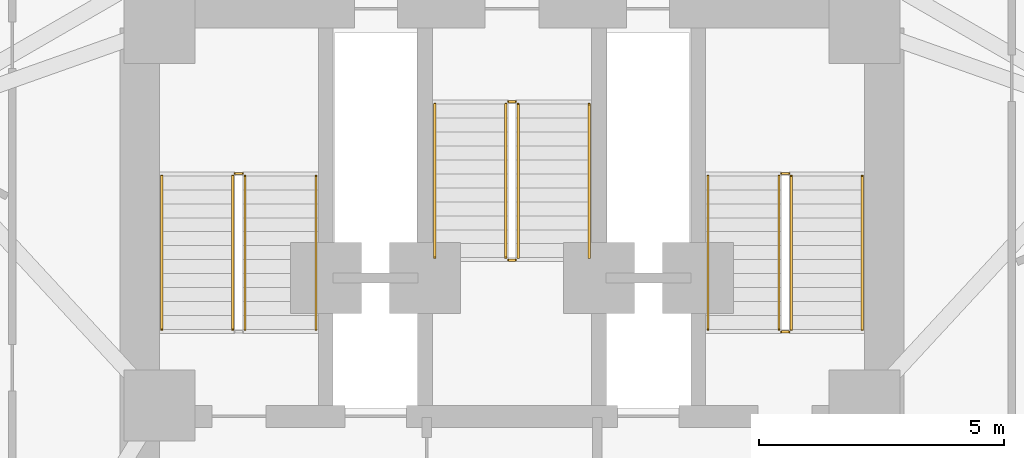
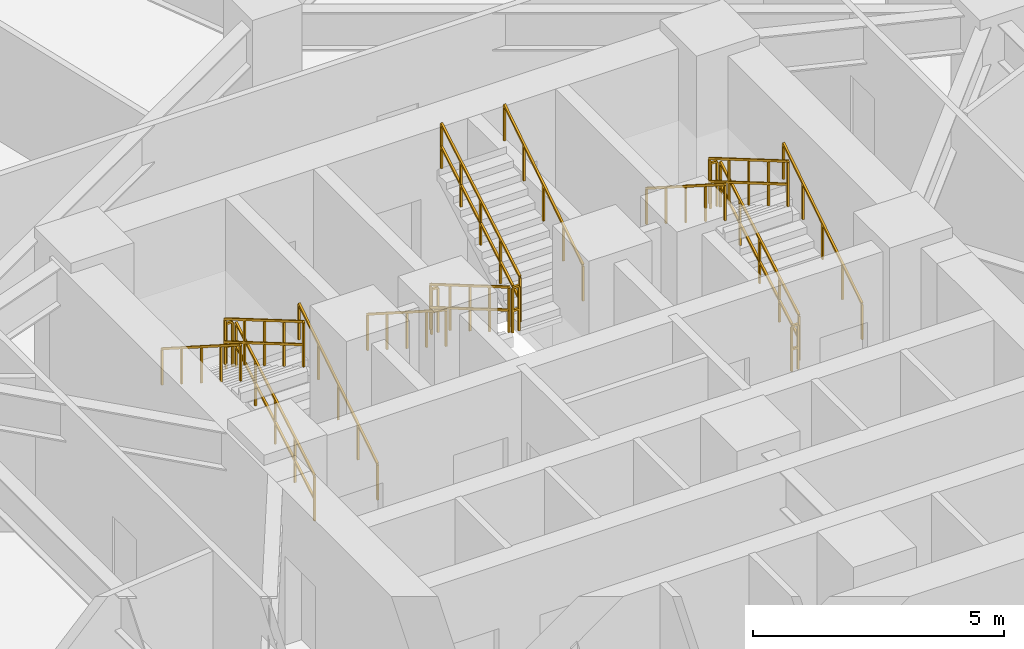
# One storey, part 9 of 10: 17 railings.
"""IFC4 building model written with IfcOpenShell, lengths in metres."""

from ifc_helpers import new_model, si_unit, direction, frame, origin, origin_2d, place, context, subcontext, project, spatial, rectangle, extrude, material, type_object, element, save


model = new_model("IFC4")

# Units and contexts
model_context = context("Model", 3, precision=1e-05, world=origin(), true_north=direction((0.0, 1.0)))
body_context = subcontext(model_context, "Body", "Model", "MODEL_VIEW")
ifc_project = project(units=[si_unit("LENGTHUNIT", "METRE"), si_unit("AREAUNIT", "SQUARE_METRE"), si_unit("VOLUMEUNIT", "CUBIC_METRE"), si_unit("PLANEANGLEUNIT", "RADIAN"), si_unit("MASSUNIT", "GRAM", prefix="KILO")], contexts=[model_context])

# Site, building, storey
site_placement = place(None, origin())
site = spatial("IfcSite", under=ifc_project, at=site_placement, CompositionType="ELEMENT")
building_placement = place(site_placement, origin())
building = spatial("IfcBuilding", under=site, at=building_placement, Name="Apsidion Concourse Tower", CompositionType="ELEMENT")
storey_placement = place(building_placement, frame((0.0, 0.0, 87.0)))
storey = spatial("IfcBuildingStorey", under=building, at=storey_placement, Name="L19", CompositionType="ELEMENT", Elevation=87.0)

# Railings
ifc_material = material(Name="Brushed stainless steel 316", Category="steel")
railing_type_1 = type_object("IfcRailingType", Name="RL-GUARD-1100", PredefinedType="GUARDRAIL", material=ifc_material)
railing_1_placement = place(storey_placement, frame((-5.449951171875, 3.0, 0.166748046875)))
element("IfcRailing", 1, at=railing_1_placement, inside=storey, type_object=railing_type_1, Name="L19 ST1 stair guard 1", PredefinedType="GUARDRAIL", context=body_context, shape_type="SweptSolid", body=[
    extrude(rectangle(XDim=0.048095703125, YDim=0.048095703125, at=origin_2d()), frame((0.0, 0.0, 1.09619140625), z_axis=(0.0, 0.863239559939, 0.504794475164), x_axis=(-1.0, 0.0, 0.0)), (0.0, 0.0, 1.0), 3.631591796875),
    extrude(rectangle(XDim=0.048095703125, YDim=0.048095703125, at=origin_2d()), frame((0.0, 0.0, 0.5361328125), z_axis=(0.0, 0.863239559939, 0.504794475164), x_axis=(-1.0, 0.0, 0.0)), (0.0, 0.0, 1.0), 3.631591796875),
    extrude(rectangle(XDim=0.0419921875, YDim=0.0419921875, at=origin_2d()), origin(), (0.0, 0.0, 1.0), 1.072021484375),
    extrude(rectangle(XDim=0.0419921875, YDim=0.0419921875, at=origin_2d()), frame((0.0, 0.78369140625, 0.458251953125)), (0.0, 0.0, 1.0), 1.072021484375),
    extrude(rectangle(XDim=0.0419921875, YDim=0.0419921875, at=origin_2d()), frame((0.0, 1.5673828125, 0.91650390625)), (0.0, 0.0, 1.0), 1.072021484375),
    extrude(rectangle(XDim=0.0419921875, YDim=0.0419921875, at=origin_2d()), frame((0.0, 2.351318359375, 1.375)), (0.0, 0.0, 1.0), 1.072021484375),
    extrude(rectangle(XDim=0.0419921875, YDim=0.0419921875, at=origin_2d()), frame((0.0, 3.135009765625, 1.833251953125)), (0.0, 0.0, 1.0), 1.072021484375),
])
railing_2_placement = place(storey_placement, frame((-5.5, 6.18505859375, 2.0)))
element("IfcRailing", 2, at=railing_2_placement, inside=storey, type_object=railing_type_1, Name="L19 ST1 stair guard 2", PredefinedType="GUARDRAIL", context=body_context, shape_type="SweptSolid", body=[
    extrude(rectangle(XDim=0.048095703125, YDim=0.048095703125, at=origin_2d()), frame((0.0, 0.0, 1.09619140625), z_axis=(-1.0, 0.0, 0.0), x_axis=(0.0, -1.0, 0.0)), (0.0, 0.0, 1.0), 0.14990234375),
    extrude(rectangle(XDim=0.048095703125, YDim=0.048095703125, at=origin_2d()), frame((0.0, 0.0, 0.5361328125), z_axis=(-1.0, 0.0, 0.0), x_axis=(0.0, -1.0, 0.0)), (0.0, 0.0, 1.0), 0.14990234375),
    extrude(rectangle(XDim=0.0419921875, YDim=0.0419921875, at=origin_2d()), origin(), (0.0, 0.0, 1.0), 1.072021484375),
    extrude(rectangle(XDim=0.0419921875, YDim=0.0419921875, at=origin_2d()), frame((-0.14990234375, 0.0, 0.0)), (0.0, 0.0, 1.0), 1.072021484375),
])
railing_3_placement = place(storey_placement, frame((-5.699951171875, 6.135009765625, 2.166748046875)))
element("IfcRailing", 3, at=railing_3_placement, inside=storey, type_object=railing_type_1, Name="L19 ST1 stair guard 3", PredefinedType="GUARDRAIL", context=body_context, shape_type="SweptSolid", body=[
    extrude(rectangle(XDim=0.048095703125, YDim=0.048095703125, at=origin_2d()), frame((0.0, 0.0, 1.09619140625), z_axis=(0.0, -0.863239559939, 0.504794475164), x_axis=(1.0, 0.0, 0.0)), (0.0, 0.0, 1.0), 3.631591796875),
    extrude(rectangle(XDim=0.048095703125, YDim=0.048095703125, at=origin_2d()), frame((0.0, 0.0, 0.5361328125), z_axis=(0.0, -0.863239559939, 0.504794475164), x_axis=(1.0, 0.0, 0.0)), (0.0, 0.0, 1.0), 3.631591796875),
    extrude(rectangle(XDim=0.0419921875, YDim=0.0419921875, at=origin_2d()), origin(), (0.0, 0.0, 1.0), 1.072021484375),
    extrude(rectangle(XDim=0.0419921875, YDim=0.0419921875, at=origin_2d()), frame((0.0, -0.78369140625, 0.458251953125)), (0.0, 0.0, 1.0), 1.072021484375),
    extrude(rectangle(XDim=0.0419921875, YDim=0.0419921875, at=origin_2d()), frame((0.0, -1.5673828125, 0.91650390625)), (0.0, 0.0, 1.0), 1.072021484375),
    extrude(rectangle(XDim=0.0419921875, YDim=0.0419921875, at=origin_2d()), frame((0.0, -2.351318359375, 1.375)), (0.0, 0.0, 1.0), 1.072021484375),
    extrude(rectangle(XDim=0.0419921875, YDim=0.0419921875, at=origin_2d()), frame((0.0, -3.135009765625, 1.833251953125)), (0.0, 0.0, 1.0), 1.072021484375),
])
railing_4_placement = place(storey_placement, frame((5.699951171875, 3.0, 0.166748046875)))
element("IfcRailing", 4, at=railing_4_placement, inside=storey, type_object=railing_type_1, Name="L19 ST2 stair guard 1", PredefinedType="GUARDRAIL", context=body_context, shape_type="SweptSolid", body=[
    extrude(rectangle(XDim=0.048095703125, YDim=0.048095703125, at=origin_2d()), frame((0.0, 0.0, 1.09619140625), z_axis=(0.0, 0.863239559939, 0.504794475164), x_axis=(-1.0, 0.0, 0.0)), (0.0, 0.0, 1.0), 3.631591796875),
    extrude(rectangle(XDim=0.048095703125, YDim=0.048095703125, at=origin_2d()), frame((0.0, 0.0, 0.5361328125), z_axis=(0.0, 0.863239559939, 0.504794475164), x_axis=(-1.0, 0.0, 0.0)), (0.0, 0.0, 1.0), 3.631591796875),
    extrude(rectangle(XDim=0.0419921875, YDim=0.0419921875, at=origin_2d()), origin(), (0.0, 0.0, 1.0), 1.072021484375),
    extrude(rectangle(XDim=0.0419921875, YDim=0.0419921875, at=origin_2d()), frame((0.0, 0.78369140625, 0.458251953125)), (0.0, 0.0, 1.0), 1.072021484375),
    extrude(rectangle(XDim=0.0419921875, YDim=0.0419921875, at=origin_2d()), frame((0.0, 1.5673828125, 0.91650390625)), (0.0, 0.0, 1.0), 1.072021484375),
    extrude(rectangle(XDim=0.0419921875, YDim=0.0419921875, at=origin_2d()), frame((0.0, 2.351318359375, 1.375)), (0.0, 0.0, 1.0), 1.072021484375),
    extrude(rectangle(XDim=0.0419921875, YDim=0.0419921875, at=origin_2d()), frame((0.0, 3.135009765625, 1.833251953125)), (0.0, 0.0, 1.0), 1.072021484375),
])
railing_5_placement = place(storey_placement, frame((5.64990234375, 6.18505859375, 2.0)))
element("IfcRailing", 5, at=railing_5_placement, inside=storey, type_object=railing_type_1, Name="L19 ST2 stair guard 2", PredefinedType="GUARDRAIL", context=body_context, shape_type="SweptSolid", body=[
    extrude(rectangle(XDim=0.048095703125, YDim=0.048095703125, at=origin_2d()), frame((0.0, 0.0, 1.09619140625), z_axis=(-1.0, 0.0, 0.0), x_axis=(0.0, -1.0, 0.0)), (0.0, 0.0, 1.0), 0.14990234375),
    extrude(rectangle(XDim=0.048095703125, YDim=0.048095703125, at=origin_2d()), frame((0.0, 0.0, 0.5361328125), z_axis=(-1.0, 0.0, 0.0), x_axis=(0.0, -1.0, 0.0)), (0.0, 0.0, 1.0), 0.14990234375),
    extrude(rectangle(XDim=0.0419921875, YDim=0.0419921875, at=origin_2d()), origin(), (0.0, 0.0, 1.0), 1.072021484375),
    extrude(rectangle(XDim=0.0419921875, YDim=0.0419921875, at=origin_2d()), frame((-0.14990234375, 0.0, 0.0)), (0.0, 0.0, 1.0), 1.072021484375),
])
railing_6_placement = place(storey_placement, frame((5.449951171875, 6.135009765625, 2.166748046875)))
element("IfcRailing", 6, at=railing_6_placement, inside=storey, type_object=railing_type_1, Name="L19 ST2 stair guard 3", PredefinedType="GUARDRAIL", context=body_context, shape_type="SweptSolid", body=[
    extrude(rectangle(XDim=0.048095703125, YDim=0.048095703125, at=origin_2d()), frame((0.0, 0.0, 1.09619140625), z_axis=(0.0, -0.863239559939, 0.504794475164), x_axis=(1.0, 0.0, 0.0)), (0.0, 0.0, 1.0), 3.631591796875),
    extrude(rectangle(XDim=0.048095703125, YDim=0.048095703125, at=origin_2d()), frame((0.0, 0.0, 0.5361328125), z_axis=(0.0, -0.863239559939, 0.504794475164), x_axis=(1.0, 0.0, 0.0)), (0.0, 0.0, 1.0), 3.631591796875),
    extrude(rectangle(XDim=0.0419921875, YDim=0.0419921875, at=origin_2d()), origin(), (0.0, 0.0, 1.0), 1.072021484375),
    extrude(rectangle(XDim=0.0419921875, YDim=0.0419921875, at=origin_2d()), frame((0.0, -0.78369140625, 0.458251953125)), (0.0, 0.0, 1.0), 1.072021484375),
    extrude(rectangle(XDim=0.0419921875, YDim=0.0419921875, at=origin_2d()), frame((0.0, -1.5673828125, 0.91650390625)), (0.0, 0.0, 1.0), 1.072021484375),
    extrude(rectangle(XDim=0.0419921875, YDim=0.0419921875, at=origin_2d()), frame((0.0, -2.351318359375, 1.375)), (0.0, 0.0, 1.0), 1.072021484375),
    extrude(rectangle(XDim=0.0419921875, YDim=0.0419921875, at=origin_2d()), frame((0.0, -3.135009765625, 1.833251953125)), (0.0, 0.0, 1.0), 1.072021484375),
])
railing_7_placement = place(storey_placement, frame((5.64990234375, 2.949951171875, 0.0)))
element("IfcRailing", 7, at=railing_7_placement, inside=storey, type_object=railing_type_1, Name="L19 ST2 stair guard 4", PredefinedType="GUARDRAIL", context=body_context, shape_type="SweptSolid", body=[
    extrude(rectangle(XDim=0.048095703125, YDim=0.048095703125, at=origin_2d()), frame((0.0, 0.0, 1.09619140625), z_axis=(-1.0, 0.0, 0.0), x_axis=(0.0, -1.0, 0.0)), (0.0, 0.0, 1.0), 0.14990234375),
    extrude(rectangle(XDim=0.048095703125, YDim=0.048095703125, at=origin_2d()), frame((0.0, 0.0, 0.5361328125), z_axis=(-1.0, 0.0, 0.0), x_axis=(0.0, -1.0, 0.0)), (0.0, 0.0, 1.0), 0.14990234375),
    extrude(rectangle(XDim=0.0419921875, YDim=0.0419921875, at=origin_2d()), origin(), (0.0, 0.0, 1.0), 1.072021484375),
    extrude(rectangle(XDim=0.0419921875, YDim=0.0419921875, at=origin_2d()), frame((-0.14990234375, 0.0, 0.0)), (0.0, 0.0, 1.0), 1.072021484375),
])
railing_8_placement = place(storey_placement, frame((-0.125, 7.60009765625, 0.166748046875)))
element("IfcRailing", 8, at=railing_8_placement, inside=storey, type_object=railing_type_1, Name="L19 ST3 stair guard 1", PredefinedType="GUARDRAIL", context=body_context, shape_type="SweptSolid", body=[
    extrude(rectangle(XDim=0.048095703125, YDim=0.048095703125, at=origin_2d()), frame((0.0, 0.0, 1.09619140625), z_axis=(0.0, -0.863239559939, 0.504794475164), x_axis=(1.0, 0.0, 0.0)), (0.0, 0.0, 1.0), 3.631591796875),
    extrude(rectangle(XDim=0.048095703125, YDim=0.048095703125, at=origin_2d()), frame((0.0, 0.0, 0.5361328125), z_axis=(0.0, -0.863239559939, 0.504794475164), x_axis=(1.0, 0.0, 0.0)), (0.0, 0.0, 1.0), 3.631591796875),
    extrude(rectangle(XDim=0.0419921875, YDim=0.0419921875, at=origin_2d()), origin(), (0.0, 0.0, 1.0), 1.072021484375),
    extrude(rectangle(XDim=0.0419921875, YDim=0.0419921875, at=origin_2d()), frame((0.0, -0.78369140625, 0.458251953125)), (0.0, 0.0, 1.0), 1.072021484375),
    extrude(rectangle(XDim=0.0419921875, YDim=0.0419921875, at=origin_2d()), frame((0.0, -1.5673828125, 0.91650390625)), (0.0, 0.0, 1.0), 1.072021484375),
    extrude(rectangle(XDim=0.0419921875, YDim=0.0419921875, at=origin_2d()), frame((0.0, -2.351318359375, 1.375)), (0.0, 0.0, 1.0), 1.072021484375),
    extrude(rectangle(XDim=0.0419921875, YDim=0.0419921875, at=origin_2d()), frame((0.0, -3.135009765625, 1.833251953125)), (0.0, 0.0, 1.0), 1.072021484375),
])
railing_9_placement = place(storey_placement, frame((-0.074951171875, 4.4150390625, 2.0)))
element("IfcRailing", 9, at=railing_9_placement, inside=storey, type_object=railing_type_1, Name="L19 ST3 stair guard 2", PredefinedType="GUARDRAIL", context=body_context, shape_type="SweptSolid", body=[
    extrude(rectangle(XDim=0.048095703125, YDim=0.048095703125, at=origin_2d()), frame((0.0, 0.0, 1.09619140625), z_axis=(1.0, 0.0, 0.0), x_axis=(0.0, 1.0, 0.0)), (0.0, 0.0, 1.0), 0.14990234375),
    extrude(rectangle(XDim=0.048095703125, YDim=0.048095703125, at=origin_2d()), frame((0.0, 0.0, 0.5361328125), z_axis=(1.0, 0.0, 0.0), x_axis=(0.0, 1.0, 0.0)), (0.0, 0.0, 1.0), 0.14990234375),
    extrude(rectangle(XDim=0.0419921875, YDim=0.0419921875, at=origin_2d()), origin(), (0.0, 0.0, 1.0), 1.072021484375),
    extrude(rectangle(XDim=0.0419921875, YDim=0.0419921875, at=origin_2d()), frame((0.14990234375, 0.0, 0.0)), (0.0, 0.0, 1.0), 1.072021484375),
])
railing_10_placement = place(storey_placement, frame((0.125, 4.465087890625, 2.166748046875)))
element("IfcRailing", 10, at=railing_10_placement, inside=storey, type_object=railing_type_1, Name="L19 ST3 stair guard 3", PredefinedType="GUARDRAIL", context=body_context, shape_type="SweptSolid", body=[
    extrude(rectangle(XDim=0.048095703125, YDim=0.048095703125, at=origin_2d()), frame((0.0, 0.0, 1.09619140625), z_axis=(0.0, 0.863239559939, 0.504794475164), x_axis=(-1.0, 0.0, 0.0)), (0.0, 0.0, 1.0), 3.631591796875),
    extrude(rectangle(XDim=0.048095703125, YDim=0.048095703125, at=origin_2d()), frame((0.0, 0.0, 0.5361328125), z_axis=(0.0, 0.863239559939, 0.504794475164), x_axis=(-1.0, 0.0, 0.0)), (0.0, 0.0, 1.0), 3.631591796875),
    extrude(rectangle(XDim=0.0419921875, YDim=0.0419921875, at=origin_2d()), origin(), (0.0, 0.0, 1.0), 1.072021484375),
    extrude(rectangle(XDim=0.0419921875, YDim=0.0419921875, at=origin_2d()), frame((0.0, 0.78369140625, 0.458251953125)), (0.0, 0.0, 1.0), 1.072021484375),
    extrude(rectangle(XDim=0.0419921875, YDim=0.0419921875, at=origin_2d()), frame((0.0, 1.5673828125, 0.91650390625)), (0.0, 0.0, 1.0), 1.072021484375),
    extrude(rectangle(XDim=0.0419921875, YDim=0.0419921875, at=origin_2d()), frame((0.0, 2.351318359375, 1.375)), (0.0, 0.0, 1.0), 1.072021484375),
    extrude(rectangle(XDim=0.0419921875, YDim=0.0419921875, at=origin_2d()), frame((0.0, 3.135009765625, 1.833251953125)), (0.0, 0.0, 1.0), 1.072021484375),
])
railing_11_placement = place(storey_placement, frame((-0.074951171875, 7.64990234375, 0.0)))
element("IfcRailing", 11, at=railing_11_placement, inside=storey, type_object=railing_type_1, Name="L19 ST3 stair guard 4", PredefinedType="GUARDRAIL", context=body_context, shape_type="SweptSolid", body=[
    extrude(rectangle(XDim=0.048095703125, YDim=0.048095703125, at=origin_2d()), frame((0.0, 0.0, 1.09619140625), z_axis=(1.0, 0.0, 0.0), x_axis=(0.0, 1.0, 0.0)), (0.0, 0.0, 1.0), 0.14990234375),
    extrude(rectangle(XDim=0.048095703125, YDim=0.048095703125, at=origin_2d()), frame((0.0, 0.0, 0.5361328125), z_axis=(1.0, 0.0, 0.0), x_axis=(0.0, 1.0, 0.0)), (0.0, 0.0, 1.0), 0.14990234375),
    extrude(rectangle(XDim=0.0419921875, YDim=0.0419921875, at=origin_2d()), origin(), (0.0, 0.0, 1.0), 1.072021484375),
    extrude(rectangle(XDim=0.0419921875, YDim=0.0419921875, at=origin_2d()), frame((0.14990234375, 0.0, 0.0)), (0.0, 0.0, 1.0), 1.072021484375),
])
railing_type_2 = type_object("IfcRailingType", Name="RL-HAND-900", PredefinedType="HANDRAIL", material=ifc_material)
railing_12_placement = place(storey_placement, frame((-4.0, 3.0, 0.166748046875)))
element("IfcRailing", 12, at=railing_12_placement, inside=storey, type_object=railing_type_2, Name="L19 ST1 stair handrail 1", PredefinedType="HANDRAIL", context=body_context, shape_type="SweptSolid", body=[
    extrude(rectangle(XDim=0.048095703125, YDim=0.048095703125, at=origin_2d()), frame((0.0, 0.0, 0.8759765625), z_axis=(0.0, 0.843052688722, 0.537830980921), x_axis=(-1.0, 0.0, 0.0)), (0.0, 0.0, 1.0), 3.71875),
    extrude(rectangle(XDim=0.0419921875, YDim=0.0419921875, at=origin_2d()), origin(), (0.0, 0.0, 1.0), 0.851806640625),
    extrude(rectangle(XDim=0.0419921875, YDim=0.0419921875, at=origin_2d()), frame((0.0, 0.78369140625, 0.5)), (0.0, 0.0, 1.0), 0.851806640625),
    extrude(rectangle(XDim=0.0419921875, YDim=0.0419921875, at=origin_2d()), frame((0.0, 1.5673828125, 1.0)), (0.0, 0.0, 1.0), 0.851806640625),
    extrude(rectangle(XDim=0.0419921875, YDim=0.0419921875, at=origin_2d()), frame((0.0, 2.351318359375, 1.5)), (0.0, 0.0, 1.0), 0.851806640625),
    extrude(rectangle(XDim=0.0419921875, YDim=0.0419921875, at=origin_2d()), frame((0.0, 3.135009765625, 2.0)), (0.0, 0.0, 1.0), 0.851806640625),
])
railing_13_placement = place(storey_placement, frame((-7.14990234375, 6.135009765625, 2.166748046875)))
element("IfcRailing", 13, at=railing_13_placement, inside=storey, type_object=railing_type_2, Name="L19 ST1 stair handrail 2", PredefinedType="HANDRAIL", context=body_context, shape_type="SweptSolid", body=[
    extrude(rectangle(XDim=0.048095703125, YDim=0.048095703125, at=origin_2d()), frame((0.0, 0.0, 0.8759765625), z_axis=(0.0, -0.843052688722, 0.537830980921), x_axis=(1.0, 0.0, 0.0)), (0.0, 0.0, 1.0), 3.71875),
    extrude(rectangle(XDim=0.0419921875, YDim=0.0419921875, at=origin_2d()), origin(), (0.0, 0.0, 1.0), 0.851806640625),
    extrude(rectangle(XDim=0.0419921875, YDim=0.0419921875, at=origin_2d()), frame((0.0, -0.78369140625, 0.5)), (0.0, 0.0, 1.0), 0.851806640625),
    extrude(rectangle(XDim=0.0419921875, YDim=0.0419921875, at=origin_2d()), frame((0.0, -1.5673828125, 1.0)), (0.0, 0.0, 1.0), 0.851806640625),
    extrude(rectangle(XDim=0.0419921875, YDim=0.0419921875, at=origin_2d()), frame((0.0, -2.351318359375, 1.5)), (0.0, 0.0, 1.0), 0.851806640625),
    extrude(rectangle(XDim=0.0419921875, YDim=0.0419921875, at=origin_2d()), frame((0.0, -3.135009765625, 2.0)), (0.0, 0.0, 1.0), 0.851806640625),
])
railing_14_placement = place(storey_placement, frame((7.14990234375, 3.0, 0.166748046875)))
element("IfcRailing", 14, at=railing_14_placement, inside=storey, type_object=railing_type_2, Name="L19 ST2 stair handrail 1", PredefinedType="HANDRAIL", context=body_context, shape_type="SweptSolid", body=[
    extrude(rectangle(XDim=0.048095703125, YDim=0.048095703125, at=origin_2d()), frame((0.0, 0.0, 0.8759765625), z_axis=(0.0, 0.843052688722, 0.537830980921), x_axis=(-1.0, 0.0, 0.0)), (0.0, 0.0, 1.0), 3.71875),
    extrude(rectangle(XDim=0.0419921875, YDim=0.0419921875, at=origin_2d()), origin(), (0.0, 0.0, 1.0), 0.851806640625),
    extrude(rectangle(XDim=0.0419921875, YDim=0.0419921875, at=origin_2d()), frame((0.0, 0.78369140625, 0.5)), (0.0, 0.0, 1.0), 0.851806640625),
    extrude(rectangle(XDim=0.0419921875, YDim=0.0419921875, at=origin_2d()), frame((0.0, 1.5673828125, 1.0)), (0.0, 0.0, 1.0), 0.851806640625),
    extrude(rectangle(XDim=0.0419921875, YDim=0.0419921875, at=origin_2d()), frame((0.0, 2.351318359375, 1.5)), (0.0, 0.0, 1.0), 0.851806640625),
    extrude(rectangle(XDim=0.0419921875, YDim=0.0419921875, at=origin_2d()), frame((0.0, 3.135009765625, 2.0)), (0.0, 0.0, 1.0), 0.851806640625),
])
for number, where, name in (
    (15, (4.0, 6.135009765625, 2.166748046875), "L19 ST2 stair handrail 2"),
    (16, (-1.574951171875, 7.60009765625, 0.166748046875), "L19 ST3 stair handrail 1"),
):
    element("IfcRailing", number, at=place(storey_placement, frame(where)), inside=storey, type_object=railing_type_2, Name=name, PredefinedType="HANDRAIL", context=body_context, shape_type="SweptSolid", body=[
        extrude(rectangle(XDim=0.048095703125, YDim=0.048095703125, at=origin_2d()), frame((0.0, 0.0, 0.8759765625), z_axis=(0.0, -0.843052688722, 0.537830980921), x_axis=(1.0, 0.0, 0.0)), (0.0, 0.0, 1.0), 3.71875),
        extrude(rectangle(XDim=0.0419921875, YDim=0.0419921875, at=origin_2d()), origin(), (0.0, 0.0, 1.0), 0.851806640625),
        extrude(rectangle(XDim=0.0419921875, YDim=0.0419921875, at=origin_2d()), frame((0.0, -0.78369140625, 0.5)), (0.0, 0.0, 1.0), 0.851806640625),
        extrude(rectangle(XDim=0.0419921875, YDim=0.0419921875, at=origin_2d()), frame((0.0, -1.5673828125, 1.0)), (0.0, 0.0, 1.0), 0.851806640625),
        extrude(rectangle(XDim=0.0419921875, YDim=0.0419921875, at=origin_2d()), frame((0.0, -2.351318359375, 1.5)), (0.0, 0.0, 1.0), 0.851806640625),
        extrude(rectangle(XDim=0.0419921875, YDim=0.0419921875, at=origin_2d()), frame((0.0, -3.135009765625, 2.0)), (0.0, 0.0, 1.0), 0.851806640625),
    ])
railing_15_placement = place(storey_placement, frame((1.574951171875, 4.465087890625, 2.166748046875)))
element("IfcRailing", 17, at=railing_15_placement, inside=storey, type_object=railing_type_2, Name="L19 ST3 stair handrail 2", PredefinedType="HANDRAIL", context=body_context, shape_type="SweptSolid", body=[
    extrude(rectangle(XDim=0.048095703125, YDim=0.048095703125, at=origin_2d()), frame((0.0, 0.0, 0.8759765625), z_axis=(0.0, 0.843052688722, 0.537830980921), x_axis=(-1.0, 0.0, 0.0)), (0.0, 0.0, 1.0), 3.71875),
    extrude(rectangle(XDim=0.0419921875, YDim=0.0419921875, at=origin_2d()), origin(), (0.0, 0.0, 1.0), 0.851806640625),
    extrude(rectangle(XDim=0.0419921875, YDim=0.0419921875, at=origin_2d()), frame((0.0, 0.78369140625, 0.5)), (0.0, 0.0, 1.0), 0.851806640625),
    extrude(rectangle(XDim=0.0419921875, YDim=0.0419921875, at=origin_2d()), frame((0.0, 1.5673828125, 1.0)), (0.0, 0.0, 1.0), 0.851806640625),
    extrude(rectangle(XDim=0.0419921875, YDim=0.0419921875, at=origin_2d()), frame((0.0, 2.351318359375, 1.5)), (0.0, 0.0, 1.0), 0.851806640625),
    extrude(rectangle(XDim=0.0419921875, YDim=0.0419921875, at=origin_2d()), frame((0.0, 3.135009765625, 2.0)), (0.0, 0.0, 1.0), 0.851806640625),
])

save(model, "model.ifc")
